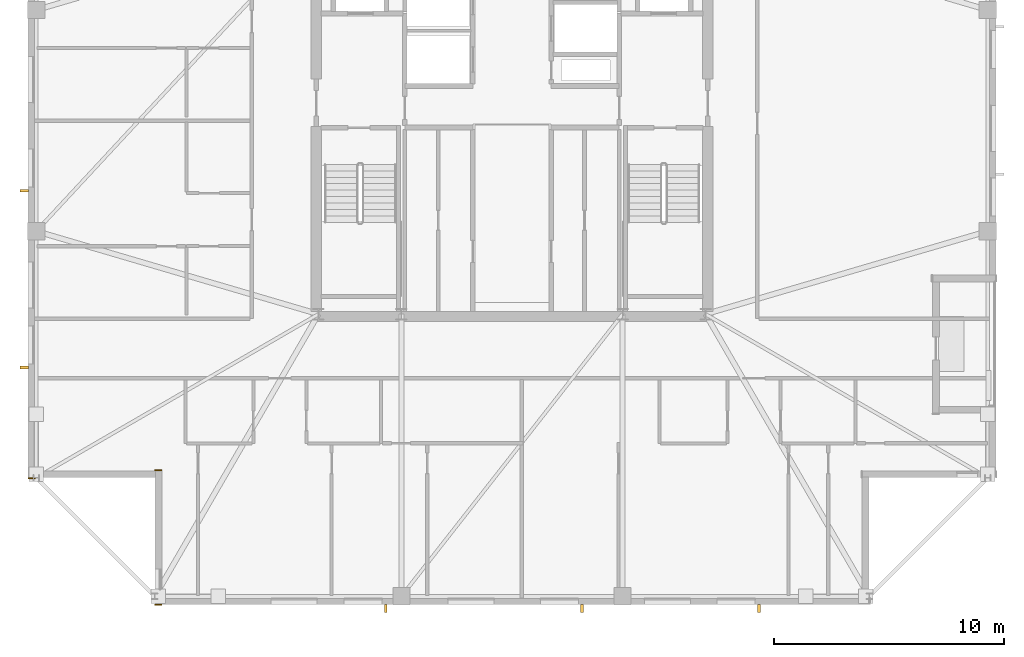
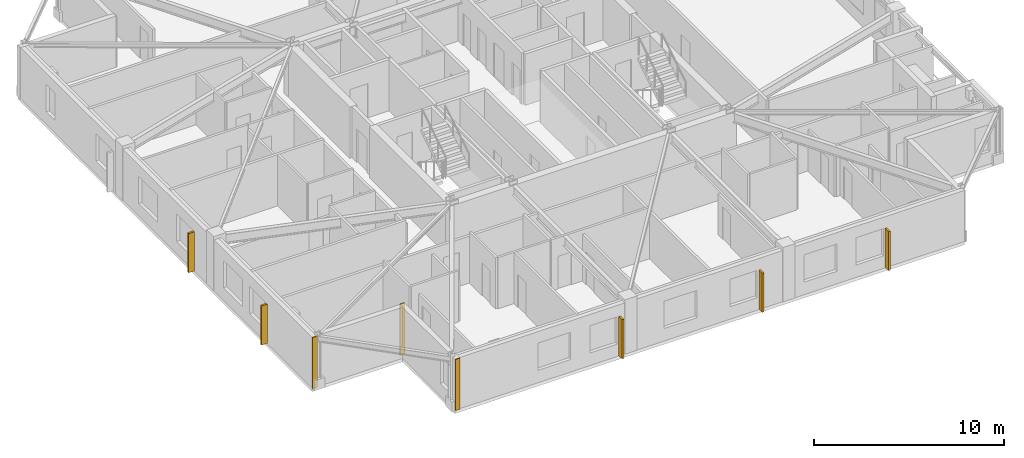
# One storey, part 12 of 15: 5 shading devices, 3 coverings.
"""IFC4 building model written with IfcOpenShell, lengths in metres."""

from ifc_helpers import new_model, si_unit, direction, frame, frame_2d, origin, origin_2d, place, context, subcontext, project, spatial, rectangle, extrude, material, layer, layer_set, type_object, element, save


model = new_model("IFC4")

# Units and contexts
model_context = context("Model", 3, precision=1e-05, world=origin(), true_north=direction((0.0, 1.0)))
body_context = subcontext(model_context, "Body", "Model", "MODEL_VIEW")
ifc_project = project(units=[si_unit("LENGTHUNIT", "METRE"), si_unit("AREAUNIT", "SQUARE_METRE"), si_unit("VOLUMEUNIT", "CUBIC_METRE"), si_unit("PLANEANGLEUNIT", "RADIAN"), si_unit("MASSUNIT", "GRAM", prefix="KILO")], contexts=[model_context])

# Site, building, storey
site_placement = place(None, origin())
site = spatial("IfcSite", under=ifc_project, at=site_placement, CompositionType="ELEMENT")
building_placement = place(site_placement, origin())
building = spatial("IfcBuilding", under=site, at=building_placement, Name="Cairnveth Concourse Tower", CompositionType="ELEMENT")
storey_placement = place(building_placement, frame((0.0, 0.0, 291.0)))
storey = spatial("IfcBuildingStorey", under=building, at=storey_placement, Name="L80", CompositionType="ELEMENT", Elevation=291.0)

# Coverings
ifc_material_1 = material(Name="Dressed Melbourne Bluestone Cladding", Category="masonry")
ifc_layer = layer(ifc_material_1, 0.050048828125)
ifc_layer_set = layer_set([ifc_layer], Name="Dressed Melbourne Bluestone Cladding")
covering_type = type_object("IfcCoveringType", Name="DRESSED BLUESTONE PLINTH CLADDING 50", PredefinedType="CLADDING", material=ifc_layer_set)
for number, where, z_axis, x_axis, name in (
    (1, (36.800048828125, 17.97998046875, 0.0), (0.0, 0.0, 1.0), (-1.0, 0.0, 0.0), "Melbourne Bluestone Corner Quoin L80-1215"),
    (2, (36.800048828125, 23.820068359375, 0.0), (0.0, 0.0, 1.0), (-1.0, 0.0, 0.0), "Melbourne Bluestone Corner Quoin L80-1216"),
    (3, (31.300048828125, 23.47998046875, 0.0), (0.0, 0.0, 1.0), (-1.0, 0.0, 0.0), "Melbourne Bluestone Corner Quoin L80-1217"),
):
    element("IfcCovering", number, at=place(storey_placement, frame(where, z_axis=z_axis, x_axis=x_axis)), inside=storey, type_object=covering_type, Name=name, PredefinedType="CLADDING", context=body_context, shape_type="SweptSolid", body=[
        extrude(rectangle(XDim=0.300048828125, YDim=0.050048828125, at=frame_2d((0.14990234375, 0.0))), origin(), (0.0, 0.0, 1.0), 3.2900390625),
    ])

# Shading devices
ifc_material_2 = material(Name="Architectural Bronze Anodised Aluminium 6063-T6", Category="aluminium")
shading_device_type = type_object("IfcShadingDeviceType", Name="GOTHIC BRONZE VERTICAL LANCET FIN", PredefinedType="USERDEFINED", material=ifc_material_2)
for number, where, z_axis, x_axis, name in (
    (4, (62.716552734375, 17.824951171875, 0.030029296875), (0.0, 0.0, 1.0), (1.0, 0.0, 0.0), "Gothic Bronze Vertical Fin L80-3-1"),
    (5, (55.04248046875, 17.824951171875, 0.030029296875), (0.0, 0.0, 1.0), (1.0, 0.0, 0.0), "Gothic Bronze Vertical Fin L80-3-3"),
    (6, (46.5185546875, 17.824951171875, 0.030029296875), (0.0, 0.0, 1.0), (1.0, 0.0, 0.0), "Gothic Bronze Vertical Fin L80-3-5"),
    (7, (30.824951171875, 28.283447265625, 0.030029296875), (0.0, 0.0, 1.0), (0.0, 1.0, 0.0), "Gothic Bronze Vertical Fin L80-6-1"),
    (8, (30.824951171875, 35.95751953125, 0.030029296875), (0.0, 0.0, 1.0), (0.0, 1.0, 0.0), "Gothic Bronze Vertical Fin L80-6-3"),
):
    element("IfcShadingDevice", number, at=place(storey_placement, frame(where, z_axis=z_axis, x_axis=x_axis)), inside=storey, type_object=shading_device_type, Name=name, ObjectType="VERTICAL FIN", PredefinedType="USERDEFINED", context=body_context, shape_type="SweptSolid", body=[
        extrude(rectangle(XDim=0.1201171875, YDim=0.360107421875, at=origin_2d()), origin(), (0.0, 0.0, 1.0), 2.51806640625),
    ])

save(model, "model.ifc")
